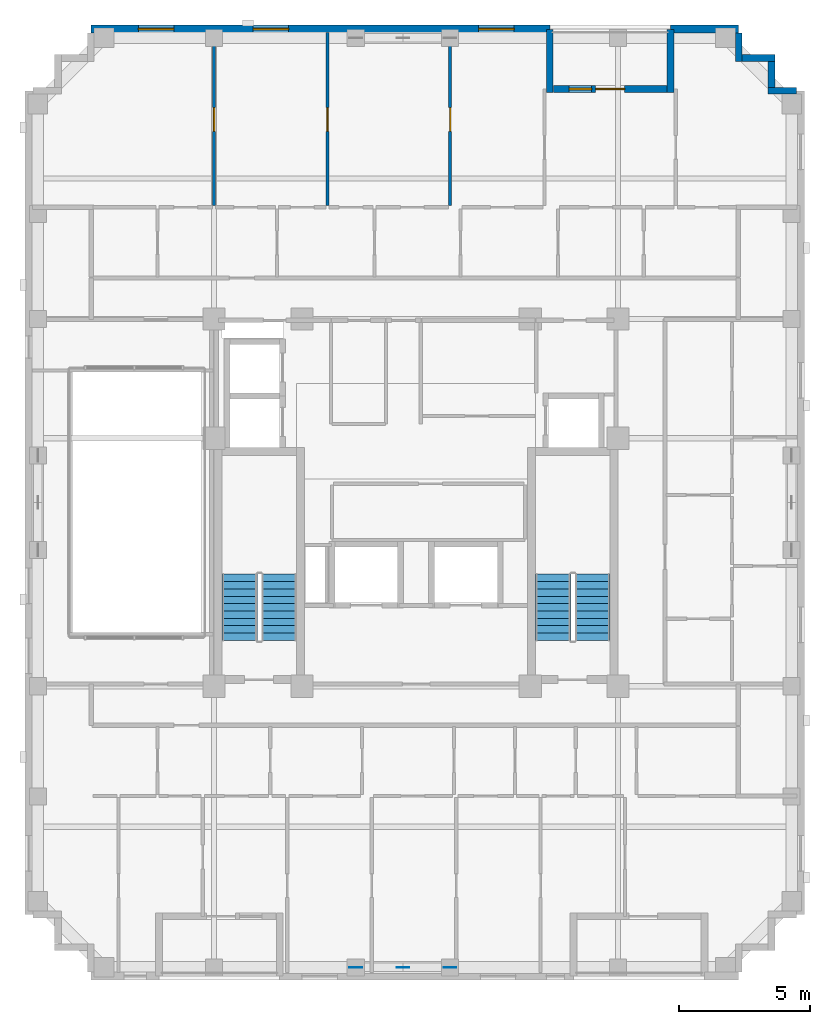
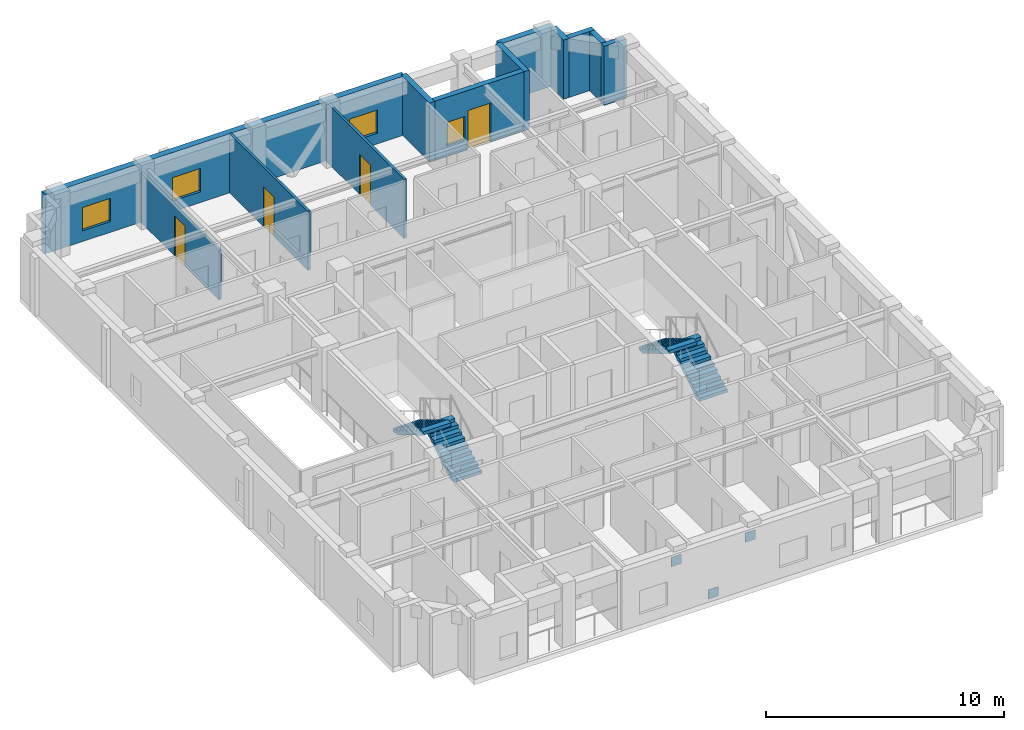
# One storey, part 9 of 12: 12 walls, 4 doors, 4 stair flights, 4 windows, 3 discrete accessories, 8 openings, 2 elements without a shape of their own.
"""IFC4 building model written with IfcOpenShell, lengths in metres."""

from ifc_helpers import new_model, si_unit, derived_unit, direction, frame, frame_2d, origin, origin_2d, place, context, subcontext, project, spatial, polyline, rectangle, outline, extrude, material, layer, layer_set, type_object, element, fill, aggregate, save


model = new_model("IFC4")

# Units and contexts
model_context = context("Model", 3, precision=1e-05, world=origin(), true_north=direction((0.0, 1.0)))
body_context = subcontext(model_context, "Body", "Model", "MODEL_VIEW")
ifc_project = project(units=[si_unit("LENGTHUNIT", "METRE"), si_unit("AREAUNIT", "SQUARE_METRE"), si_unit("VOLUMEUNIT", "CUBIC_METRE"), si_unit("PLANEANGLEUNIT", "RADIAN"), si_unit("MASSUNIT", "GRAM", prefix="KILO"), derived_unit("THERMALTRANSMITTANCEUNIT", [(si_unit("MASSUNIT", "GRAM", prefix="KILO"), 1), (si_unit("TIMEUNIT", "SECOND"), -3), (si_unit("THERMODYNAMICTEMPERATUREUNIT", "KELVIN"), -1)])], contexts=[model_context])

# Site, building, storey
site_placement = place(None, origin())
site = spatial("IfcSite", under=ifc_project, at=site_placement, CompositionType="ELEMENT")
building_placement = place(site_placement, origin())
building = spatial("IfcBuilding", under=site, at=building_placement, Name="Korrvale Station Residences", CompositionType="ELEMENT")
storey_placement = place(building_placement, frame((0.0, 0.0, 184.300048828125)))
storey = spatial("IfcBuildingStorey", under=building, at=storey_placement, Name="L53", CompositionType="ELEMENT", Elevation=184.300048828125)

# Wall
ifc_material_1 = material(Name="Precast concrete C45/55", Category="concrete")
ifc_layer_1 = layer(ifc_material_1, 0.260009765625, Name="Precast concrete C45/55")
ifc_layer_set_1 = layer_set([ifc_layer_1], Name="Precast concrete C45/55")
wall_type_1 = type_object("IfcWallType", Name="WAL-EXT-LOG260", PredefinedType="SOLIDWALL", material=ifc_layer_set_1)
wall_1_placement = place(storey_placement, frame((30.60009765625, 40.0400390625, 0.0), z_axis=(0.0, 0.0, 1.0), x_axis=(0.0, -1.0, 0.0)))
element("IfcWall", 1, at=wall_1_placement, inside=storey, type_object=wall_type_1, Name="L53 Recessed Loggia Wall BAL-L53-N1-L", PredefinedType="SOLIDWALL", context=body_context, shape_type="SweptSolid", body=[
    extrude(rectangle(XDim=2.400146484375, YDim=0.260009765625, at=frame_2d((1.2001953125, 0.0))), origin(), (0.0, 0.0, 1.0), 3.0400390625),
])

# Wall, openings, door, window
wall_2_placement = place(storey_placement, frame((30.73388671875, 37.77001953125, 0.0), z_axis=(0.0, 0.0, 1.0), x_axis=(1.0, 0.0, 0.0)))
wall_2 = element("IfcWall", 2, at=wall_2_placement, inside=storey, type_object=wall_type_1, Name="L53 Recessed Loggia Wall BAL-L53-N1-B", PredefinedType="SOLIDWALL", context=body_context, shape_type="SweptSolid", body=[
    extrude(rectangle(XDim=4.33203125, YDim=0.260009765625, at=frame_2d((2.166015625, 0.0))), origin(), (0.0, 0.0, 1.0), 3.0400390625),
])
opening_1_placement = place(wall_2_placement, frame((1.615966796875, 0.0, 0.0)))
opening_1 = element("IfcOpeningElement", 3, at=opening_1_placement, cuts=wall_2, Name="Opening BD-01", PredefinedType="OPENING", context=body_context, shape_type="SweptSolid", body=[
    extrude(rectangle(XDim=1.10009765625, YDim=2.0, at=frame_2d((0.550048828125, 1.0))), frame((0.0, 0.14013671875, 0.0), z_axis=(0.0, -1.0, 0.0), x_axis=(1.0, 0.0, 0.0)), (0.0, 0.0, 1.0), 0.280029296875),
])
opening_2_placement = place(wall_2_placement, frame((0.60595703125, 0.0, 0.550048828125)))
opening_2 = element("IfcOpeningElement", 4, at=opening_2_placement, cuts=wall_2, Name="Opening W-11", PredefinedType="OPENING", context=body_context, shape_type="SweptSolid", body=[
    extrude(rectangle(XDim=0.85009765625, YDim=1.199951171875, at=frame_2d((0.425048828125, 0.60009765625))), frame((0.0, 0.14013671875, 0.0), z_axis=(0.0, -1.0, 0.0), x_axis=(1.0, 0.0, 0.0)), (0.0, 0.0, 1.0), 0.280029296875),
])
ifc_material_2 = material(Name="Exterior thermally broken aluminium glazed balcony door", Category="aluminium")
door_type_1 = type_object("IfcDoorType", Name="DR-EXT-BAL", OperationType="NOTDEFINED", PredefinedType="DOOR", material=ifc_material_2)
door_1_placement = place(opening_1_placement, origin())
door_1 = element("IfcDoor", 5, at=door_1_placement, inside=storey, type_object=door_type_1, Name="L53 Loggia Balcony Door BAL-L53-N1", OperationType="SINGLE_SWING_LEFT", OverallHeight=2.0, OverallWidth=1.10009765625, PredefinedType="DOOR", context=body_context, shape_type="SweptSolid", body=[
    extrude(rectangle(XDim=1.10009765625, YDim=2.0, at=frame_2d((0.550048828125, 1.0))), frame((0.0, 0.02490234375, 0.0), z_axis=(0.0, -1.0, 0.0), x_axis=(1.0, 0.0, 0.0)), (0.0, 0.0, 1.0), 0.050048828125),
])
fill(opening_1, door_1)
ifc_material_3 = material(Name="Thermally broken aluminium frame with triple low-e glazing", Category="aluminium")
window_type_1 = type_object("IfcWindowType", Name="WIN-W11", PartitioningType="SINGLE_PANEL", PredefinedType="WINDOW", material=ifc_material_3)
window_1_placement = place(opening_2_placement, origin())
window_1 = element("IfcWindow", 6, at=window_1_placement, inside=storey, type_object=window_type_1, Name="L53 Punched Window 11", OverallHeight=1.199951171875, OverallWidth=0.85009765625, PartitioningType="SINGLE_PANEL", PredefinedType="WINDOW", context=body_context, shape_type="SweptSolid", body=[
    extrude(rectangle(XDim=0.85009765625, YDim=1.199951171875, at=frame_2d((0.425048828125, 0.60009765625))), frame((0.0, 0.030029296875, 0.0), z_axis=(0.0, -1.0, 0.0), x_axis=(1.0, 0.0, 0.0)), (0.0, 0.0, 1.0), 0.06005859375),
])
fill(opening_2, window_1)

# Walls
wall_3_placement = place(storey_placement, frame((35.199951171875, 37.639892578125, 0.0), z_axis=(0.0, 0.0, 1.0), x_axis=(0.0, 1.0, 0.0)))
element("IfcWall", 7, at=wall_3_placement, inside=storey, type_object=wall_type_1, Name="L53 Recessed Loggia Wall BAL-L53-N1-R", PredefinedType="SOLIDWALL", context=body_context, shape_type="SweptSolid", body=[
    extrude(rectangle(XDim=2.400146484375, YDim=0.260009765625, at=frame_2d((1.2001953125, 0.0))), origin(), (0.0, 0.0, 1.0), 3.0400390625),
])
wall_4_placement = place(storey_placement, frame((37.800048828125, 39.89794921875, 0.0), z_axis=(0.0, 0.0, 1.0), x_axis=(0.0, -1.0, 0.0)))
element("IfcWall", 8, at=wall_4_placement, inside=storey, type_object=wall_type_1, Name="L53 Serrated Corner Precast Step NE-1", PredefinedType="SOLIDWALL", context=body_context, shape_type="SweptSolid", body=[
    extrude(rectangle(XDim=1.077880859375, YDim=0.260009765625, at=frame_2d((0.5390625, 0.0))), origin(), (0.0, 0.0, 1.0), 3.0400390625),
])
wall_5_placement = place(storey_placement, frame((37.931884765625, 38.949951171875, 0.0), z_axis=(0.0, 0.0, 1.0), x_axis=(1.0, 0.0, 0.0)))
element("IfcWall", 9, at=wall_5_placement, inside=storey, type_object=wall_type_1, Name="L53 Serrated Corner Precast Step NE-2", PredefinedType="SOLIDWALL", context=body_context, shape_type="SweptSolid", body=[
    extrude(rectangle(XDim=1.248046875, YDim=0.260009765625, at=frame_2d((0.6240234375, 0.0))), origin(), (0.0, 0.0, 1.0), 3.0400390625),
])
wall_6_placement = place(storey_placement, frame((39.050048828125, 38.818115234375, 0.0), z_axis=(0.0, 0.0, 1.0), x_axis=(0.0, -1.0, 0.0)))
element("IfcWall", 10, at=wall_6_placement, inside=storey, type_object=wall_type_1, Name="L53 Serrated Corner Precast Step NE-3", PredefinedType="SOLIDWALL", context=body_context, shape_type="SweptSolid", body=[
    extrude(rectangle(XDim=0.986083984375, YDim=0.260009765625, at=frame_2d((0.4931640625, 0.0))), origin(), (0.0, 0.0, 1.0), 3.0400390625),
])
wall_7_placement = place(storey_placement, frame((38.919921875, 37.699951171875, 0.0), z_axis=(0.0, 0.0, 1.0), x_axis=(1.0, 0.0, 0.0)))
element("IfcWall", 11, at=wall_7_placement, inside=storey, type_object=wall_type_1, Name="L53 Serrated Corner Precast Step NE-4", PredefinedType="SOLIDWALL", context=body_context, shape_type="SweptSolid", body=[
    extrude(rectangle(XDim=1.078125, YDim=0.260009765625, at=frame_2d((0.5390625, 0.0))), origin(), (0.0, 0.0, 1.0), 3.0400390625),
])

# Wall, openings, windows
ifc_layer_2 = layer(ifc_material_1, 0.300048828125, Name="Precast concrete C45/55")
ifc_layer_set_2 = layer_set([ifc_layer_2], Name="Precast concrete C45/55")
wall_type_2 = type_object("IfcWallType", Name="WAL-EXT-PC300", PredefinedType="SOLIDWALL", material=ifc_layer_set_2)
wall_8_placement = place(storey_placement, frame((13.10009765625, 40.050048828125, 0.0), z_axis=(0.0, 0.0, 1.0), x_axis=(1.0, 0.0, 0.0)))
wall_8 = element("IfcWall", 12, at=wall_8_placement, inside=storey, type_object=wall_type_2, Name="L53 North Exterior Precast Wall 1", PredefinedType="SOLIDWALL", context=body_context, shape_type="SweptSolid", body=[
    extrude(rectangle(XDim=17.5, YDim=0.300048828125, at=frame_2d((8.75, 0.0))), origin(), (0.0, 0.0, 1.0), 3.0400390625),
])
opening_3_placement = place(wall_8_placement, frame((1.81494140625, 0.0, 0.550048828125)))
opening_3 = element("IfcOpeningElement", 13, at=opening_3_placement, cuts=wall_8, Name="Opening W-10", PredefinedType="OPENING", context=body_context, shape_type="SweptSolid", body=[
    extrude(rectangle(XDim=1.35009765625, YDim=1.199951171875, at=frame_2d((0.675048828125, 0.60009765625))), frame((0.0, 0.16015625, 0.0), z_axis=(0.0, -1.0, 0.0), x_axis=(1.0, 0.0, 0.0)), (0.0, 0.0, 1.0), 0.320068359375),
])
opening_4_placement = place(wall_8_placement, frame((6.18896484375, 0.0, 0.550048828125)))
opening_4 = element("IfcOpeningElement", 14, at=opening_4_placement, cuts=wall_8, Name="Opening W-10", PredefinedType="OPENING", context=body_context, shape_type="SweptSolid", body=[
    extrude(rectangle(XDim=1.35009765625, YDim=1.199951171875, at=frame_2d((0.675048828125, 0.60009765625))), frame((0.0, 0.16015625, 0.0), z_axis=(0.0, -1.0, 0.0), x_axis=(1.0, 0.0, 0.0)), (0.0, 0.0, 1.0), 0.320068359375),
])
opening_5_placement = place(wall_8_placement, frame((14.7880859375, 0.0, 0.550048828125)))
opening_5 = element("IfcOpeningElement", 15, at=opening_5_placement, cuts=wall_8, Name="Opening W-10", PredefinedType="OPENING", context=body_context, shape_type="SweptSolid", body=[
    extrude(rectangle(XDim=1.35009765625, YDim=1.199951171875, at=frame_2d((0.675048828125, 0.60009765625))), frame((0.0, 0.16015625, 0.0), z_axis=(0.0, -1.0, 0.0), x_axis=(1.0, 0.0, 0.0)), (0.0, 0.0, 1.0), 0.320068359375),
])
window_type_2 = type_object("IfcWindowType", Name="WIN-W10", PartitioningType="SINGLE_PANEL", PredefinedType="WINDOW", material=ifc_material_3)
window_2_placement = place(opening_3_placement, origin())
window_2 = element("IfcWindow", 16, at=window_2_placement, inside=storey, type_object=window_type_2, Name="L53 Punched Window 08", OverallHeight=1.199951171875, OverallWidth=1.35009765625, PartitioningType="SINGLE_PANEL", PredefinedType="WINDOW", context=body_context, shape_type="SweptSolid", body=[
    extrude(rectangle(XDim=1.35009765625, YDim=1.199951171875, at=frame_2d((0.675048828125, 0.60009765625))), frame((0.0, 0.030029296875, 0.0), z_axis=(0.0, -1.0, 0.0), x_axis=(1.0, 0.0, 0.0)), (0.0, 0.0, 1.0), 0.06005859375),
])
fill(opening_3, window_2)
window_3_placement = place(opening_4_placement, origin())
window_3 = element("IfcWindow", 17, at=window_3_placement, inside=storey, type_object=window_type_2, Name="L53 Punched Window 09", OverallHeight=1.199951171875, OverallWidth=1.35009765625, PartitioningType="SINGLE_PANEL", PredefinedType="WINDOW", context=body_context, shape_type="SweptSolid", body=[
    extrude(rectangle(XDim=1.35009765625, YDim=1.199951171875, at=frame_2d((0.675048828125, 0.60009765625))), frame((0.0, 0.030029296875, 0.0), z_axis=(0.0, -1.0, 0.0), x_axis=(1.0, 0.0, 0.0)), (0.0, 0.0, 1.0), 0.06005859375),
])
fill(opening_4, window_3)
window_4_placement = place(opening_5_placement, origin())
window_4 = element("IfcWindow", 18, at=window_4_placement, inside=storey, type_object=window_type_2, Name="L53 Punched Window 10", OverallHeight=1.199951171875, OverallWidth=1.35009765625, PartitioningType="SINGLE_PANEL", PredefinedType="WINDOW", context=body_context, shape_type="SweptSolid", body=[
    extrude(rectangle(XDim=1.35009765625, YDim=1.199951171875, at=frame_2d((0.675048828125, 0.60009765625))), frame((0.0, 0.030029296875, 0.0), z_axis=(0.0, -1.0, 0.0), x_axis=(1.0, 0.0, 0.0)), (0.0, 0.0, 1.0), 0.06005859375),
])
fill(opening_5, window_4)

# Wall
wall_9_placement = place(storey_placement, frame((35.199951171875, 40.050048828125, 0.0), z_axis=(0.0, 0.0, 1.0), x_axis=(1.0, 0.0, 0.0)))
element("IfcWall", 19, at=wall_9_placement, inside=storey, type_object=wall_type_2, Name="L53 North Exterior Precast Wall 2", PredefinedType="SOLIDWALL", context=body_context, shape_type="SweptSolid", body=[
    extrude(rectangle(XDim=2.60009765625, YDim=0.300048828125, at=frame_2d((1.300048828125, 0.0))), origin(), (0.0, 0.0, 1.0), 3.0400390625),
])

# Wall, opening, door
ifc_material_4 = material(Name="Acoustic steel-stud gypsum board partition", Category="steel")
ifc_layer_3 = layer(ifc_material_4, 0.1201171875, Name="Acoustic steel-stud gypsum board partition")
ifc_layer_set_3 = layer_set([ifc_layer_3], Name="Acoustic steel-stud gypsum board partition")
wall_type_3 = type_object("IfcWallType", Name="WAL-PART-125", PredefinedType="PARTITIONING", material=ifc_layer_set_3)
wall_10_placement = place(storey_placement, frame((17.800048828125, 33.320068359375, 0.0), z_axis=(0.0, 0.0, 1.0), x_axis=(0.0, 1.0, 0.0)))
wall_10 = element("IfcWall", 20, at=wall_10_placement, inside=storey, type_object=wall_type_3, Name="L53 Suite Partition U02-V78", PredefinedType="PARTITIONING", context=body_context, shape_type="SweptSolid", body=[
    extrude(rectangle(XDim=6.599853515625, YDim=0.1201171875, at=frame_2d((3.2998046875, 0.0))), origin(), (0.0, 0.0, 1.0), 2.555908203125),
])
opening_6_placement = place(wall_10_placement, frame((2.8349609375, 0.0, 0.0)))
opening_6 = element("IfcOpeningElement", 21, at=opening_6_placement, cuts=wall_10, Name="Opening DI-900", PredefinedType="OPENING", context=body_context, shape_type="SweptSolid", body=[
    extrude(rectangle(XDim=0.89990234375, YDim=2.050048828125, at=frame_2d((0.449951171875, 1.02490234375))), frame((0.0, 0.070068359375, 0.0), z_axis=(0.0, -1.0, 0.0), x_axis=(1.0, 0.0, 0.0)), (0.0, 0.0, 1.0), 0.14013671875),
])
ifc_material_5 = material(Name="Painted solid-core timber interior room door", Category="wood")
door_type_2 = type_object("IfcDoorType", Name="DR-INT-900", OperationType="NOTDEFINED", PredefinedType="DOOR", material=ifc_material_5)
door_2_placement = place(opening_6_placement, origin())
door_2 = element("IfcDoor", 22, at=door_2_placement, inside=storey, type_object=door_type_2, Name="L53 Apartment 3BR L53-U02 Living and Dining Room Door", OperationType="SINGLE_SWING_LEFT", OverallHeight=2.050048828125, OverallWidth=0.89990234375, PredefinedType="DOOR", context=body_context, shape_type="SweptSolid", body=[
    extrude(rectangle(XDim=0.89990234375, YDim=2.050048828125, at=frame_2d((0.449951171875, 1.02490234375))), frame((0.0, 0.02490234375, 0.0), z_axis=(0.0, -1.0, 0.0), x_axis=(1.0, 0.0, 0.0)), (0.0, 0.0, 1.0), 0.050048828125),
])
fill(opening_6, door_2)

wall_11_placement = place(storey_placement, frame((22.1201171875, 33.320068359375, 0.0), z_axis=(0.0, 0.0, 1.0), x_axis=(0.0, 1.0, 0.0)))
wall_11 = element("IfcWall", 23, at=wall_11_placement, inside=storey, type_object=wall_type_3, Name="L53 Suite Partition U02-V89", PredefinedType="PARTITIONING", context=body_context, shape_type="SweptSolid", body=[
    extrude(rectangle(XDim=6.599853515625, YDim=0.1201171875, at=frame_2d((3.2998046875, 0.0))), origin(), (0.0, 0.0, 1.0), 3.0400390625),
])
opening_7_placement = place(wall_11_placement, frame((2.8349609375, 0.0, 0.0)))
opening_7 = element("IfcOpeningElement", 24, at=opening_7_placement, cuts=wall_11, Name="Opening DI-900", PredefinedType="OPENING", context=body_context, shape_type="SweptSolid", body=[
    extrude(rectangle(XDim=0.89990234375, YDim=2.050048828125, at=frame_2d((0.449951171875, 1.02490234375))), frame((0.0, 0.070068359375, 0.0), z_axis=(0.0, -1.0, 0.0), x_axis=(1.0, 0.0, 0.0)), (0.0, 0.0, 1.0), 0.14013671875),
])
door_3_placement = place(opening_7_placement, origin())
door_3 = element("IfcDoor", 25, at=door_3_placement, inside=storey, type_object=door_type_2, Name="L53 Apartment 3BR L53-U02 Formal Dining Room Door", OperationType="SINGLE_SWING_RIGHT", OverallHeight=2.050048828125, OverallWidth=0.89990234375, PredefinedType="DOOR", context=body_context, shape_type="SweptSolid", body=[
    extrude(rectangle(XDim=0.89990234375, YDim=2.050048828125, at=frame_2d((0.449951171875, 1.02490234375))), frame((0.0, 0.02490234375, 0.0), z_axis=(0.0, -1.0, 0.0), x_axis=(1.0, 0.0, 0.0)), (0.0, 0.0, 1.0), 0.050048828125),
])
fill(opening_7, door_3)

wall_12_placement = place(storey_placement, frame((26.800048828125, 33.320068359375, 0.0), z_axis=(0.0, 0.0, 1.0), x_axis=(0.0, 1.0, 0.0)))
wall_12 = element("IfcWall", 26, at=wall_12_placement, inside=storey, type_object=wall_type_3, Name="L53 Suite Partition U02-V910", PredefinedType="PARTITIONING", context=body_context, shape_type="SweptSolid", body=[
    extrude(rectangle(XDim=6.599853515625, YDim=0.1201171875, at=frame_2d((3.2998046875, 0.0))), origin(), (0.0, 0.0, 1.0), 3.0400390625),
])
opening_8_placement = place(wall_12_placement, frame((2.8349609375, 0.0, 0.0)))
opening_8 = element("IfcOpeningElement", 27, at=opening_8_placement, cuts=wall_12, Name="Opening DI-900", PredefinedType="OPENING", context=body_context, shape_type="SweptSolid", body=[
    extrude(rectangle(XDim=0.89990234375, YDim=2.050048828125, at=frame_2d((0.449951171875, 1.02490234375))), frame((0.0, 0.070068359375, 0.0), z_axis=(0.0, -1.0, 0.0), x_axis=(1.0, 0.0, 0.0)), (0.0, 0.0, 1.0), 0.14013671875),
])
door_4_placement = place(opening_8_placement, origin())
door_4 = element("IfcDoor", 28, at=door_4_placement, inside=storey, type_object=door_type_2, Name="L53 Apartment 3BR L53-U02 Wardrobe Storage Room Door", OperationType="SINGLE_SWING_LEFT", OverallHeight=2.050048828125, OverallWidth=0.89990234375, PredefinedType="DOOR", context=body_context, shape_type="SweptSolid", body=[
    extrude(rectangle(XDim=0.89990234375, YDim=2.050048828125, at=frame_2d((0.449951171875, 1.02490234375))), frame((0.0, 0.02490234375, 0.0), z_axis=(0.0, -1.0, 0.0), x_axis=(1.0, 0.0, 0.0)), (0.0, 0.0, 1.0), 0.050048828125),
])
fill(opening_8, door_4)

# Stair, stair flights
ifc_material_6 = material(Name="Concrete C50/60", Category="concrete")
stair_type = type_object("IfcStairType", Name="STR-DL-1350-20R-1650", PredefinedType="HALF_TURN_STAIR", material=ifc_material_6)
stair_1_placement = place(storey_placement, origin())
stair_1 = element("IfcStair", 29, at=stair_1_placement, inside=storey, type_object=stair_type, Name="L53 Exit Stair 1", PredefinedType="HALF_TURN_STAIR")
stair_flight_type = type_object("IfcStairFlightType", Name="FLT-DL-1350-20R-1650", PredefinedType="STRAIGHT", material=ifc_material_6)
stair_flight_1_placement = place(storey_placement, frame((20.27490234375, 16.75, 0.0), z_axis=(0.0, 0.0, 1.0), x_axis=(0.0, 1.0, 0.0)))
stair_flight_1 = element("IfcStairFlight", 30, at=stair_flight_1_placement, type_object=stair_flight_type, Name="ST-1 flight 1", NumberOfRisers=10, NumberOfTreads=9, PredefinedType="STRAIGHT", RiserHeight=0.165, TreadLength=0.28, context=body_context, shape_type="SweptSolid", body=[
    extrude(outline(polyline([(0.0, 0.0), (0.0, 0.1650390625), (0.280029296875, 0.1650390625), (0.280029296875, 0.330078125), (0.56005859375, 0.330078125), (0.56005859375, 0.4951171875), (0.840087890625, 0.4951171875), (0.840087890625, 0.659912109375), (1.1201171875, 0.659912109375), (1.1201171875, 0.824951171875), (1.39990234375, 0.824951171875), (1.39990234375, 0.989990234375), (1.679931640625, 0.989990234375), (1.679931640625, 1.155029296875), (1.9599609375, 1.155029296875), (1.9599609375, 1.320068359375), (2.239990234375, 1.320068359375), (2.239990234375, 1.485107421875), (2.52001953125, 1.485107421875), (2.52001953125, 1.64990234375), (2.52001953125, 1.31103515625), (0.295166015625, 0.0), (0.0, 0.0)])), frame((0.0, 0.675048828125, 0.0), z_axis=(0.0, -1.0, 0.0), x_axis=(1.0, 0.0, 0.0)), (0.0, 0.0, 1.0), 1.35009765625),
])
stair_flight_2_placement = place(storey_placement, frame((18.77490234375, 19.27001953125, 1.64990234375), z_axis=(0.0, 0.0, 1.0), x_axis=(0.0, -1.0, 0.0)))
stair_flight_2 = element("IfcStairFlight", 31, at=stair_flight_2_placement, type_object=stair_flight_type, Name="ST-1 flight 2", NumberOfRisers=10, NumberOfTreads=9, PredefinedType="STRAIGHT", RiserHeight=0.165, TreadLength=0.28, context=body_context, shape_type="SweptSolid", body=[
    extrude(outline(polyline([(0.0, 0.0), (0.0, 0.1650390625), (0.280029296875, 0.1650390625), (0.280029296875, 0.330078125), (0.56005859375, 0.330078125), (0.56005859375, 0.4951171875), (0.840087890625, 0.4951171875), (0.840087890625, 0.659912109375), (1.1201171875, 0.659912109375), (1.1201171875, 0.824951171875), (1.39990234375, 0.824951171875), (1.39990234375, 0.989990234375), (1.679931640625, 0.989990234375), (1.679931640625, 1.155029296875), (1.9599609375, 1.155029296875), (1.9599609375, 1.320068359375), (2.239990234375, 1.320068359375), (2.239990234375, 1.485107421875), (2.52001953125, 1.485107421875), (2.52001953125, 1.64990234375), (2.52001953125, 1.31103515625), (0.295166015625, 0.0), (0.0, 0.0)])), frame((0.0, 0.675048828125, 0.0), z_axis=(0.0, -1.0, 0.0), x_axis=(1.0, 0.0, 0.0)), (0.0, 0.0, 1.0), 1.35009765625),
])
aggregate(stair_1, [stair_flight_1, stair_flight_2])

stair_2_placement = place(storey_placement, origin())
stair_2 = element("IfcStair", 32, at=stair_2_placement, inside=storey, type_object=stair_type, Name="L53 Exit Stair 2", PredefinedType="HALF_TURN_STAIR")
stair_flight_3_placement = place(storey_placement, frame((32.22509765625, 16.75, 0.0), z_axis=(0.0, 0.0, 1.0), x_axis=(0.0, 1.0, 0.0)))
stair_flight_3 = element("IfcStairFlight", 33, at=stair_flight_3_placement, type_object=stair_flight_type, Name="ST-2 flight 1", NumberOfRisers=10, NumberOfTreads=9, PredefinedType="STRAIGHT", RiserHeight=0.165, TreadLength=0.28, context=body_context, shape_type="SweptSolid", body=[
    extrude(outline(polyline([(0.0, 0.0), (0.0, 0.1650390625), (0.280029296875, 0.1650390625), (0.280029296875, 0.330078125), (0.56005859375, 0.330078125), (0.56005859375, 0.4951171875), (0.840087890625, 0.4951171875), (0.840087890625, 0.659912109375), (1.1201171875, 0.659912109375), (1.1201171875, 0.824951171875), (1.39990234375, 0.824951171875), (1.39990234375, 0.989990234375), (1.679931640625, 0.989990234375), (1.679931640625, 1.155029296875), (1.9599609375, 1.155029296875), (1.9599609375, 1.320068359375), (2.239990234375, 1.320068359375), (2.239990234375, 1.485107421875), (2.52001953125, 1.485107421875), (2.52001953125, 1.64990234375), (2.52001953125, 1.31103515625), (0.295166015625, 0.0), (0.0, 0.0)])), frame((0.0, 0.675048828125, 0.0), z_axis=(0.0, -1.0, 0.0), x_axis=(1.0, 0.0, 0.0)), (0.0, 0.0, 1.0), 1.35009765625),
])
stair_flight_4_placement = place(storey_placement, frame((30.72509765625, 19.27001953125, 1.64990234375), z_axis=(0.0, 0.0, 1.0), x_axis=(0.0, -1.0, 0.0)))
stair_flight_4 = element("IfcStairFlight", 34, at=stair_flight_4_placement, type_object=stair_flight_type, Name="ST-2 flight 2", NumberOfRisers=10, NumberOfTreads=9, PredefinedType="STRAIGHT", RiserHeight=0.165, TreadLength=0.28, context=body_context, shape_type="SweptSolid", body=[
    extrude(outline(polyline([(0.0, 0.0), (0.0, 0.1650390625), (0.280029296875, 0.1650390625), (0.280029296875, 0.330078125), (0.56005859375, 0.330078125), (0.56005859375, 0.4951171875), (0.840087890625, 0.4951171875), (0.840087890625, 0.659912109375), (1.1201171875, 0.659912109375), (1.1201171875, 0.824951171875), (1.39990234375, 0.824951171875), (1.39990234375, 0.989990234375), (1.679931640625, 0.989990234375), (1.679931640625, 1.155029296875), (1.9599609375, 1.155029296875), (1.9599609375, 1.320068359375), (2.239990234375, 1.320068359375), (2.239990234375, 1.485107421875), (2.52001953125, 1.485107421875), (2.52001953125, 1.64990234375), (2.52001953125, 1.31103515625), (0.295166015625, 0.0), (0.0, 0.0)])), frame((0.0, 0.675048828125, 0.0), z_axis=(0.0, -1.0, 0.0), x_axis=(1.0, 0.0, 0.0)), (0.0, 0.0, 1.0), 1.35009765625),
])
aggregate(stair_2, [stair_flight_3, stair_flight_4])

# Discrete accessories
ifc_material_7 = material(Name="Steel S355", Category="steel")
ifc_layer_4 = layer(ifc_material_7, 0.02490234375, Name="Steel S355")
ifc_layer_set_4 = layer_set([ifc_layer_4], Name="Steel S355")
discrete_accessory_type = type_object("IfcDiscreteAccessoryType", Name="ACC-GUSSET-25", PredefinedType="BRACKET", material=ifc_layer_set_4)
for number, where, z_axis, x_axis, name in (
    (35, (25.0, 4.280029296875, -0.219970703125), (0.0, 0.0, 1.0), (1.0, 0.0, 0.0), "L53 S Brace End Gusset Connection M"),
    (36, (23.199951171875, 4.280029296875, 2.070068359375), (0.0, 0.0, 1.0), (1.0, 0.0, 0.0), "L53 S Brace End Gusset Connection A"),
    (37, (26.800048828125, 4.280029296875, 2.070068359375), (0.0, 0.0, 1.0), (1.0, 0.0, 0.0), "L53 S Brace End Gusset Connection B"),
):
    element("IfcDiscreteAccessory", number, at=place(storey_placement, frame(where, z_axis=z_axis, x_axis=x_axis)), inside=storey, type_object=discrete_accessory_type, Name=name, PredefinedType="BRACKET", context=body_context, shape_type="SweptSolid", body=[
        extrude(rectangle(XDim=0.47998046875, YDim=0.02490234375, at=origin_2d()), origin(), (0.0, 0.0, 1.0), 0.47998046875),
    ])

save(model, "model.ifc")
